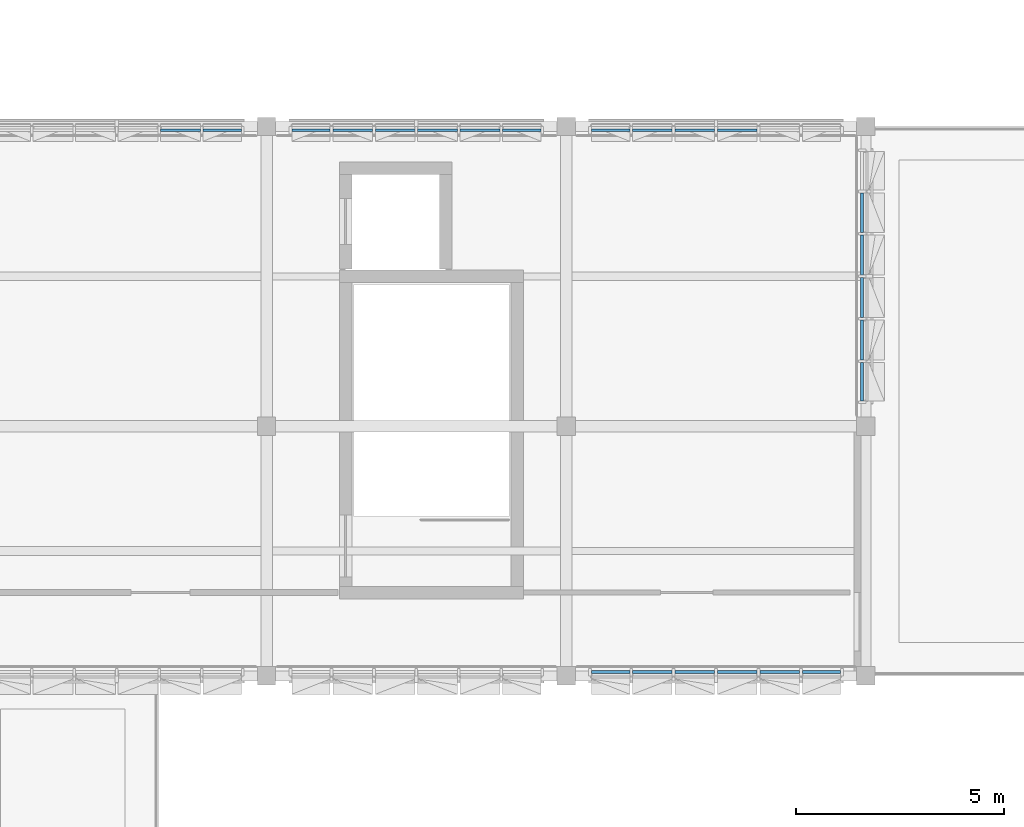
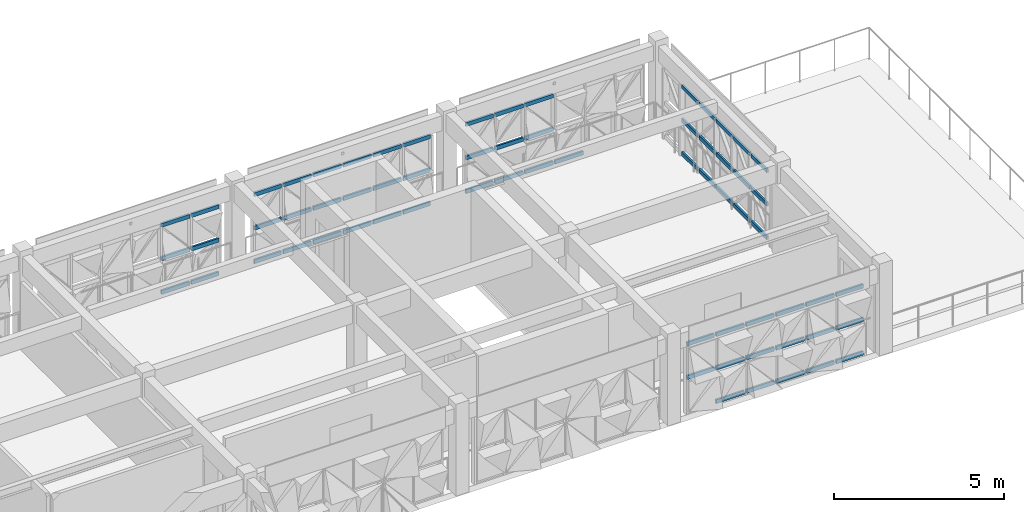
# One storey, part 11 of 35: 66 members, 5 elements without a shape of their own.
"""IFC4 building model written with IfcOpenShell, lengths in metres."""

import ifcopenshell
import ifcopenshell.guid

model = None  # the IFC model being written
_history = None  # IfcOwnerHistory: only IFC2X3 demands one
_inside = {}  # id of a spatial element -> (the spatial element, [elements in it])
_under = {}  # id of a project, library or spatial element -> (it, [spatial elements below it])
_declared = {}  # id of a project -> (the project, [libraries it declares])
_typed = {}  # id of a type object -> (the type object, [elements of that type])
_made_of = {}  # id of a material, layer set ... -> (it, [elements and type objects made of it])


def new_model(schema):
    """Start an empty IFC model of exactly this schema.

    Asked for "IFC4X3", IfcOpenShell would pick the latest addendum, in which some entities
    have other attributes; the version numbers below select the first issue.
    IFC2X3 requires an IfcOwnerHistory on every rooted entity: one is made here for all.
    """
    global model, _history
    if schema == "IFC4X3":
        model = ifcopenshell.file(schema_version=(4, 3, 0, 0))
    else:
        model = ifcopenshell.file(schema=schema)
    _inside.clear()
    _under.clear()
    _declared.clear()
    _typed.clear()
    _made_of.clear()
    _history = None
    if model.schema == "IFC2X3":
        org = make("IfcOrganization", Name="unknown")
        user = make(
            "IfcPersonAndOrganization",
            ThePerson=make("IfcPerson", FamilyName="unknown"),
            TheOrganization=org,
        )
        app = make(
            "IfcApplication",
            ApplicationDeveloper=org,
            Version="unknown",
            ApplicationFullName="unknown",
            ApplicationIdentifier="unknown",
        )
        _history = make(
            "IfcOwnerHistory",
            OwningUser=user,
            OwningApplication=app,
            ChangeAction="ADDED",
            CreationDate=0,
        )
    return model


def make(cls, **values):
    """One entity of the class cls with the attributes given. An attribute that is None is left unset."""
    return model.create_entity(
        cls, **{name: value for name, value in values.items() if value is not None}
    )


def rooted(cls, **values):
    """An entity with a GlobalId (a new one), such as an element, a storey or a relation."""
    return make(cls, GlobalId=ifcopenshell.guid.new(), OwnerHistory=_history, **values)


def si_unit(unit_type, name, prefix=None):
    """IfcSIUnit, for example si_unit("LENGTHUNIT", "METRE", prefix="MILLI")."""
    return make("IfcSIUnit", UnitType=unit_type, Prefix=prefix, Name=name)


def assignment(units):
    """IfcUnitAssignment: the units of a project."""
    return None if units is None else make("IfcUnitAssignment", Units=units)


def point(xyz):
    """IfcCartesianPoint."""
    return None if xyz is None else make("IfcCartesianPoint", Coordinates=xyz)


def direction(xyz):
    """IfcDirection."""
    return None if xyz is None else make("IfcDirection", DirectionRatios=xyz)


def frame(location, z_axis=None, x_axis=None):
    """IfcAxis2Placement3D, a coordinate frame: its origin and axes. An axis left out is left unset."""
    return make(
        "IfcAxis2Placement3D",
        Location=point(location),
        Axis=direction(z_axis),
        RefDirection=direction(x_axis),
    )


def frame_2d(location, x_axis=None):
    """IfcAxis2Placement2D, a coordinate frame in the plane: its origin and x axis."""
    return make(
        "IfcAxis2Placement2D", Location=point(location), RefDirection=direction(x_axis)
    )


def origin():
    """The frame at (0, 0, 0) with its axes left unset."""
    return frame((0.0, 0.0, 0.0))


def origin_2d():
    """The frame at (0, 0) in the plane with its x axis left unset."""
    return frame_2d((0.0, 0.0))


def place(relative_to, where):
    """IfcLocalPlacement: puts the frame where relative to a parent placement (None: the world)."""
    return make(
        "IfcLocalPlacement", PlacementRelTo=relative_to, RelativePlacement=where
    )


def context(
    kind, dimensions, precision=None, world=None, true_north=None, identifier=None
):
    """IfcGeometricRepresentationContext, for example the 3D "Model" context."""
    return make(
        "IfcGeometricRepresentationContext",
        ContextIdentifier=identifier,
        ContextType=kind,
        CoordinateSpaceDimension=dimensions,
        Precision=precision,
        WorldCoordinateSystem=world,
        TrueNorth=true_north,
    )


def subcontext(parent, identifier, kind, view, scale=None):
    """IfcGeometricRepresentationSubContext, for example "Body" below "Model"."""
    return make(
        "IfcGeometricRepresentationSubContext",
        ContextIdentifier=identifier,
        ContextType=kind,
        ParentContext=parent,
        TargetScale=scale,
        TargetView=view,
    )


def project(units=None, contexts=None):
    """IfcProject with its units and contexts."""
    return rooted(
        "IfcProject",
        Name="project",
        RepresentationContexts=contexts,
        UnitsInContext=assignment(units),
    )


def spatial(cls, under=None, at=None, **own):
    """A site, building, storey or space (cls), placed at a placement, below another one or the project."""
    s = rooted(cls, ObjectPlacement=at, **own)
    if under is not None:
        _under.setdefault(under.id(), (under, []))[1].append(s)
    return s


def profile(cls, at=None, kind="AREA", **sizes):
    """A parametric profile (cls). Its sizes go by their IFC names, for example OverallWidth=200.0."""
    return make(cls, ProfileType=kind, Position=at, **sizes)


def rectangle(**sizes):
    """IfcRectangleProfileDef."""
    return profile("IfcRectangleProfileDef", **sizes)


def extrude(swept, where, along, depth):
    """IfcExtrudedAreaSolid: the profile swept, set in the frame where, extruded along a direction by depth."""
    return make(
        "IfcExtrudedAreaSolid",
        SweptArea=swept,
        Position=where,
        ExtrudedDirection=direction(along),
        Depth=depth,
    )


def shape(context_of_items, identifier, shape_type, items):
    """IfcShapeRepresentation: the items that make up one representation, for example the "Body"."""
    return make(
        "IfcShapeRepresentation",
        ContextOfItems=context_of_items,
        RepresentationIdentifier=identifier,
        RepresentationType=shape_type,
        Items=items,
    )


def material(Name=None, Category=None):
    """IfcMaterial."""
    return make("IfcMaterial", Name=Name, Category=Category)


def material_profile(
    of_material, cross_section, Name=None, Category=None, Priority=None
):
    """IfcMaterialProfile: a cross section and its material."""
    return make(
        "IfcMaterialProfile",
        Name=Name,
        Material=of_material,
        Profile=cross_section,
        Priority=Priority,
        Category=Category,
    )


def profile_set(profiles, Name=None, composite=None):
    """IfcMaterialProfileSet."""
    return make(
        "IfcMaterialProfileSet",
        Name=Name,
        MaterialProfiles=profiles,
        CompositeProfile=composite,
    )


def made_of(thing, what):
    """Note that an element or type object is made of a material, layer set ...; save() writes the relation."""
    if what is not None:
        _made_of.setdefault(what.id(), (what, []))[1].append(thing)
    return thing


def type_object(cls, material=None, **own):
    """A type object (cls), such as IfcWallType, which elements share."""
    return made_of(rooted(cls, **own), material)


def element(
    cls,
    number,
    at=None,
    inside=None,
    cuts=None,
    type_object=None,
    material=None,
    context=None,
    identifier="Body",
    shape_type=None,
    held_by="IfcProductDefinitionShape",
    body=None,
    shapes=None,
    **own,
):
    """One element of the class cls, such as IfcWall. Its Tag is "e" and its number.

    at: its placement. inside: the storey or other place that contains it. cuts: it is an
    opening in that element (IfcRelVoidsElement). A single representation is given by context,
    identifier, shape_type and body (its items); several are given by shapes. held_by: the class
    of the entity that holds the representations. save() writes the other relations.
    """
    e = rooted(cls, Tag="e%d" % number, ObjectPlacement=at, **own)
    if body is not None:
        shapes = [shape(context, identifier, shape_type, body)]
    if shapes is not None:
        e.Representation = make(held_by, Representations=shapes)
    if inside is not None:
        _inside.setdefault(inside.id(), (inside, []))[1].append(e)
    if cuts is not None:
        rooted(
            "IfcRelVoidsElement", RelatingBuildingElement=cuts, RelatedOpeningElement=e
        )
    if type_object is not None:
        _typed.setdefault(type_object.id(), (type_object, []))[1].append(e)
    return made_of(e, material)


def aggregate(whole, parts):
    """IfcRelAggregates: a whole, such as a stair, and the parts it consists of."""
    return rooted("IfcRelAggregates", RelatingObject=whole, RelatedObjects=parts)


def save(model, path):
    """Write the relations noted so far, then the file.

    IfcRelAggregates (storeys below a building ...), IfcRelContainedInSpatialStructure (elements
    in a storey), IfcRelDefinesByType, IfcRelAssociatesMaterial and IfcRelDeclares: one each for
    every whole, place, type object, material and project.
    """
    for whole, parts in _under.values():
        aggregate(whole, parts)
    for where, things in _inside.values():
        rooted(
            "IfcRelContainedInSpatialStructure",
            RelatedElements=things,
            RelatingStructure=where,
        )
    for kind, things in _typed.values():
        rooted("IfcRelDefinesByType", RelatedObjects=things, RelatingType=kind)
    for what, things in _made_of.values():
        rooted("IfcRelAssociatesMaterial", RelatedObjects=things, RelatingMaterial=what)
    for by, libraries in _declared.values():
        rooted("IfcRelDeclares", RelatingContext=by, RelatedDefinitions=libraries)
    model.write(path)


model = new_model("IFC4")

# Units and contexts
model_context = context("Model", 3, precision=1e-05, world=origin(), true_north=direction((0.0, 1.0)))
body_context = subcontext(model_context, "Body", "Model", "MODEL_VIEW")
ifc_project = project(units=[si_unit("LENGTHUNIT", "METRE"), si_unit("AREAUNIT", "SQUARE_METRE"), si_unit("VOLUMEUNIT", "CUBIC_METRE"), si_unit("PLANEANGLEUNIT", "RADIAN"), si_unit("MASSUNIT", "GRAM", prefix="KILO")], contexts=[model_context])

# Site, building, storey
site_placement = place(None, origin())
site = spatial("IfcSite", under=ifc_project, at=site_placement, CompositionType="ELEMENT")
building_placement = place(site_placement, origin())
building = spatial("IfcBuilding", under=site, at=building_placement, Name="Alvorim Cloister Faculty of Sciences", CompositionType="ELEMENT")
storey_placement = place(building_placement, frame((0.0, 0.0, 22.949951171875)))
storey = spatial("IfcBuildingStorey", under=building, at=storey_placement, Name="L06", CompositionType="ELEMENT", Elevation=22.949951171875)

# Curtain wall, members
ifc_material_1 = material(Name="Aluminium and Low-E Glass Curtain Wall", Category="aluminium")
curtain_wall_type = type_object("IfcCurtainWallType", Name="CW-TRI-6120x2550", PredefinedType="USERDEFINED", material=ifc_material_1)
curtain_wall_1_placement = place(storey_placement, origin())
curtain_wall_1 = element("IfcCurtainWall", 1, at=curtain_wall_1_placement, inside=storey, type_object=curtain_wall_type, Name="L06 Diagonal Cassette Curtain Wall CW-0248", ObjectType="UNITISED CURTAIN WALL", PredefinedType="USERDEFINED")
ifc_material_2 = material(Name="Aluminium Alloy 6063-T6", Category="aluminium")
ifc_material_profile = material_profile(ifc_material_2, rectangle(XDim=0.06494140625, YDim=0.139892578125, at=origin_2d()), Name="ALU-TRN-65x140")
ifc_profile_set = profile_set([ifc_material_profile], Name="Aluminium Alloy 6063-T6")
member_type = type_object("IfcMemberType", Name="CW-TRN-65x140", PredefinedType="USERDEFINED", material=ifc_profile_set)
member_1_placement = place(storey_placement, frame((33.452392578125, 56.31005859375, 0.070068359375), z_axis=(1.0, 0.0, 0.0), x_axis=(0.0, 1.0, 0.0)))
member_1 = element("IfcMember", 2, at=member_1_placement, type_object=member_type, Name="CW-0248 Transom 5.1", ObjectType="TRANSOM", PredefinedType="USERDEFINED", context=body_context, shape_type="SweptSolid", body=[
    extrude(rectangle(XDim=0.06494140625, YDim=0.139892578125, at=origin_2d()), origin(), (0.0, 0.0, 1.0), 0.955078125),
])
member_2_placement = place(storey_placement, frame((33.452392578125, 56.31005859375, 1.275146484375), z_axis=(1.0, 0.0, 0.0), x_axis=(0.0, 1.0, 0.0)))
member_2 = element("IfcMember", 3, at=member_2_placement, type_object=member_type, Name="CW-0248 Transom 5.2", ObjectType="TRANSOM", PredefinedType="USERDEFINED", context=body_context, shape_type="SweptSolid", body=[
    extrude(rectangle(XDim=0.06494140625, YDim=0.139892578125, at=origin_2d()), origin(), (0.0, 0.0, 1.0), 0.955078125),
])
member_3_placement = place(storey_placement, frame((33.452392578125, 56.31005859375, 2.47998046875), z_axis=(1.0, 0.0, 0.0), x_axis=(0.0, 1.0, 0.0)))
member_3 = element("IfcMember", 4, at=member_3_placement, type_object=member_type, Name="CW-0248 Transom 5.3", ObjectType="TRANSOM", PredefinedType="USERDEFINED", context=body_context, shape_type="SweptSolid", body=[
    extrude(rectangle(XDim=0.06494140625, YDim=0.139892578125, at=origin_2d()), origin(), (0.0, 0.0, 1.0), 0.955078125),
])
member_4_placement = place(storey_placement, frame((34.472412109375, 56.31005859375, 0.070068359375), z_axis=(1.0, 0.0, 0.0), x_axis=(0.0, 1.0, 0.0)))
member_4 = element("IfcMember", 5, at=member_4_placement, type_object=member_type, Name="CW-0248 Transom 6.1", ObjectType="TRANSOM", PredefinedType="USERDEFINED", context=body_context, shape_type="SweptSolid", body=[
    extrude(rectangle(XDim=0.06494140625, YDim=0.139892578125, at=origin_2d()), origin(), (0.0, 0.0, 1.0), 0.922607421875),
])
member_5_placement = place(storey_placement, frame((34.472412109375, 56.31005859375, 1.275146484375), z_axis=(1.0, 0.0, 0.0), x_axis=(0.0, 1.0, 0.0)))
member_5 = element("IfcMember", 6, at=member_5_placement, type_object=member_type, Name="CW-0248 Transom 6.2", ObjectType="TRANSOM", PredefinedType="USERDEFINED", context=body_context, shape_type="SweptSolid", body=[
    extrude(rectangle(XDim=0.06494140625, YDim=0.139892578125, at=origin_2d()), origin(), (0.0, 0.0, 1.0), 0.922607421875),
])
member_6_placement = place(storey_placement, frame((34.472412109375, 56.31005859375, 2.47998046875), z_axis=(1.0, 0.0, 0.0), x_axis=(0.0, 1.0, 0.0)))
member_6 = element("IfcMember", 7, at=member_6_placement, type_object=member_type, Name="CW-0248 Transom 6.3", ObjectType="TRANSOM", PredefinedType="USERDEFINED", context=body_context, shape_type="SweptSolid", body=[
    extrude(rectangle(XDim=0.06494140625, YDim=0.139892578125, at=origin_2d()), origin(), (0.0, 0.0, 1.0), 0.922607421875),
])
aggregate(curtain_wall_1, [member_1, member_2, member_3, member_4, member_5, member_6])

curtain_wall_2_placement = place(storey_placement, origin())
curtain_wall_2 = element("IfcCurtainWall", 8, at=curtain_wall_2_placement, inside=storey, type_object=curtain_wall_type, Name="L06 Diagonal Cassette Curtain Wall CW-0249", ObjectType="UNITISED CURTAIN WALL", PredefinedType="USERDEFINED")
member_7_placement = place(storey_placement, frame((36.60498046875, 56.31005859375, 0.070068359375), z_axis=(1.0, 0.0, 0.0), x_axis=(0.0, 1.0, 0.0)))
member_7 = element("IfcMember", 9, at=member_7_placement, type_object=member_type, Name="CW-0249 Transom 1.1", ObjectType="TRANSOM", PredefinedType="USERDEFINED", context=body_context, shape_type="SweptSolid", body=[
    extrude(rectangle(XDim=0.06494140625, YDim=0.139892578125, at=origin_2d()), origin(), (0.0, 0.0, 1.0), 0.922607421875),
])
member_8_placement = place(storey_placement, frame((36.60498046875, 56.31005859375, 1.275146484375), z_axis=(1.0, 0.0, 0.0), x_axis=(0.0, 1.0, 0.0)))
member_8 = element("IfcMember", 10, at=member_8_placement, type_object=member_type, Name="CW-0249 Transom 1.2", ObjectType="TRANSOM", PredefinedType="USERDEFINED", context=body_context, shape_type="SweptSolid", body=[
    extrude(rectangle(XDim=0.06494140625, YDim=0.139892578125, at=origin_2d()), origin(), (0.0, 0.0, 1.0), 0.922607421875),
])
member_9_placement = place(storey_placement, frame((36.60498046875, 56.31005859375, 2.47998046875), z_axis=(1.0, 0.0, 0.0), x_axis=(0.0, 1.0, 0.0)))
member_9 = element("IfcMember", 11, at=member_9_placement, type_object=member_type, Name="CW-0249 Transom 1.3", ObjectType="TRANSOM", PredefinedType="USERDEFINED", context=body_context, shape_type="SweptSolid", body=[
    extrude(rectangle(XDim=0.06494140625, YDim=0.139892578125, at=origin_2d()), origin(), (0.0, 0.0, 1.0), 0.922607421875),
])
member_10_placement = place(storey_placement, frame((37.592529296875, 56.31005859375, 0.070068359375), z_axis=(1.0, 0.0, 0.0), x_axis=(0.0, 1.0, 0.0)))
member_10 = element("IfcMember", 12, at=member_10_placement, type_object=member_type, Name="CW-0249 Transom 2.1", ObjectType="TRANSOM", PredefinedType="USERDEFINED", context=body_context, shape_type="SweptSolid", body=[
    extrude(rectangle(XDim=0.06494140625, YDim=0.139892578125, at=origin_2d()), origin(), (0.0, 0.0, 1.0), 0.955078125),
])
member_11_placement = place(storey_placement, frame((37.592529296875, 56.31005859375, 1.275146484375), z_axis=(1.0, 0.0, 0.0), x_axis=(0.0, 1.0, 0.0)))
member_11 = element("IfcMember", 13, at=member_11_placement, type_object=member_type, Name="CW-0249 Transom 2.2", ObjectType="TRANSOM", PredefinedType="USERDEFINED", context=body_context, shape_type="SweptSolid", body=[
    extrude(rectangle(XDim=0.06494140625, YDim=0.139892578125, at=origin_2d()), origin(), (0.0, 0.0, 1.0), 0.955078125),
])
member_12_placement = place(storey_placement, frame((37.592529296875, 56.31005859375, 2.47998046875), z_axis=(1.0, 0.0, 0.0), x_axis=(0.0, 1.0, 0.0)))
member_12 = element("IfcMember", 14, at=member_12_placement, type_object=member_type, Name="CW-0249 Transom 2.3", ObjectType="TRANSOM", PredefinedType="USERDEFINED", context=body_context, shape_type="SweptSolid", body=[
    extrude(rectangle(XDim=0.06494140625, YDim=0.139892578125, at=origin_2d()), origin(), (0.0, 0.0, 1.0), 0.955078125),
])
member_13_placement = place(storey_placement, frame((38.612548828125, 56.31005859375, 0.070068359375), z_axis=(1.0, 0.0, 0.0), x_axis=(0.0, 1.0, 0.0)))
member_13 = element("IfcMember", 15, at=member_13_placement, type_object=member_type, Name="CW-0249 Transom 3.1", ObjectType="TRANSOM", PredefinedType="USERDEFINED", context=body_context, shape_type="SweptSolid", body=[
    extrude(rectangle(XDim=0.06494140625, YDim=0.139892578125, at=origin_2d()), origin(), (0.0, 0.0, 1.0), 0.954833984375),
])
member_14_placement = place(storey_placement, frame((38.612548828125, 56.31005859375, 1.275146484375), z_axis=(1.0, 0.0, 0.0), x_axis=(0.0, 1.0, 0.0)))
member_14 = element("IfcMember", 16, at=member_14_placement, type_object=member_type, Name="CW-0249 Transom 3.2", ObjectType="TRANSOM", PredefinedType="USERDEFINED", context=body_context, shape_type="SweptSolid", body=[
    extrude(rectangle(XDim=0.06494140625, YDim=0.139892578125, at=origin_2d()), origin(), (0.0, 0.0, 1.0), 0.954833984375),
])
member_15_placement = place(storey_placement, frame((38.612548828125, 56.31005859375, 2.47998046875), z_axis=(1.0, 0.0, 0.0), x_axis=(0.0, 1.0, 0.0)))
member_15 = element("IfcMember", 17, at=member_15_placement, type_object=member_type, Name="CW-0249 Transom 3.3", ObjectType="TRANSOM", PredefinedType="USERDEFINED", context=body_context, shape_type="SweptSolid", body=[
    extrude(rectangle(XDim=0.06494140625, YDim=0.139892578125, at=origin_2d()), origin(), (0.0, 0.0, 1.0), 0.954833984375),
])
member_16_placement = place(storey_placement, frame((39.632568359375, 56.31005859375, 0.070068359375), z_axis=(1.0, 0.0, 0.0), x_axis=(0.0, 1.0, 0.0)))
member_16 = element("IfcMember", 18, at=member_16_placement, type_object=member_type, Name="CW-0249 Transom 4.1", ObjectType="TRANSOM", PredefinedType="USERDEFINED", context=body_context, shape_type="SweptSolid", body=[
    extrude(rectangle(XDim=0.06494140625, YDim=0.139892578125, at=origin_2d()), origin(), (0.0, 0.0, 1.0), 0.954833984375),
])
member_17_placement = place(storey_placement, frame((39.632568359375, 56.31005859375, 1.275146484375), z_axis=(1.0, 0.0, 0.0), x_axis=(0.0, 1.0, 0.0)))
member_17 = element("IfcMember", 19, at=member_17_placement, type_object=member_type, Name="CW-0249 Transom 4.2", ObjectType="TRANSOM", PredefinedType="USERDEFINED", context=body_context, shape_type="SweptSolid", body=[
    extrude(rectangle(XDim=0.06494140625, YDim=0.139892578125, at=origin_2d()), origin(), (0.0, 0.0, 1.0), 0.954833984375),
])
member_18_placement = place(storey_placement, frame((39.632568359375, 56.31005859375, 2.47998046875), z_axis=(1.0, 0.0, 0.0), x_axis=(0.0, 1.0, 0.0)))
member_18 = element("IfcMember", 20, at=member_18_placement, type_object=member_type, Name="CW-0249 Transom 4.3", ObjectType="TRANSOM", PredefinedType="USERDEFINED", context=body_context, shape_type="SweptSolid", body=[
    extrude(rectangle(XDim=0.06494140625, YDim=0.139892578125, at=origin_2d()), origin(), (0.0, 0.0, 1.0), 0.954833984375),
])
member_19_placement = place(storey_placement, frame((40.652587890625, 56.31005859375, 0.070068359375), z_axis=(1.0, 0.0, 0.0), x_axis=(0.0, 1.0, 0.0)))
member_19 = element("IfcMember", 21, at=member_19_placement, type_object=member_type, Name="CW-0249 Transom 5.1", ObjectType="TRANSOM", PredefinedType="USERDEFINED", context=body_context, shape_type="SweptSolid", body=[
    extrude(rectangle(XDim=0.06494140625, YDim=0.139892578125, at=origin_2d()), origin(), (0.0, 0.0, 1.0), 0.954833984375),
])
member_20_placement = place(storey_placement, frame((40.652587890625, 56.31005859375, 1.275146484375), z_axis=(1.0, 0.0, 0.0), x_axis=(0.0, 1.0, 0.0)))
member_20 = element("IfcMember", 22, at=member_20_placement, type_object=member_type, Name="CW-0249 Transom 5.2", ObjectType="TRANSOM", PredefinedType="USERDEFINED", context=body_context, shape_type="SweptSolid", body=[
    extrude(rectangle(XDim=0.06494140625, YDim=0.139892578125, at=origin_2d()), origin(), (0.0, 0.0, 1.0), 0.954833984375),
])
member_21_placement = place(storey_placement, frame((40.652587890625, 56.31005859375, 2.47998046875), z_axis=(1.0, 0.0, 0.0), x_axis=(0.0, 1.0, 0.0)))
member_21 = element("IfcMember", 23, at=member_21_placement, type_object=member_type, Name="CW-0249 Transom 5.3", ObjectType="TRANSOM", PredefinedType="USERDEFINED", context=body_context, shape_type="SweptSolid", body=[
    extrude(rectangle(XDim=0.06494140625, YDim=0.139892578125, at=origin_2d()), origin(), (0.0, 0.0, 1.0), 0.954833984375),
])
member_22_placement = place(storey_placement, frame((41.672607421875, 56.31005859375, 0.070068359375), z_axis=(1.0, 0.0, 0.0), x_axis=(0.0, 1.0, 0.0)))
member_22 = element("IfcMember", 24, at=member_22_placement, type_object=member_type, Name="CW-0249 Transom 6.1", ObjectType="TRANSOM", PredefinedType="USERDEFINED", context=body_context, shape_type="SweptSolid", body=[
    extrude(rectangle(XDim=0.06494140625, YDim=0.139892578125, at=origin_2d()), origin(), (0.0, 0.0, 1.0), 0.92236328125),
])
member_23_placement = place(storey_placement, frame((41.672607421875, 56.31005859375, 1.275146484375), z_axis=(1.0, 0.0, 0.0), x_axis=(0.0, 1.0, 0.0)))
member_23 = element("IfcMember", 25, at=member_23_placement, type_object=member_type, Name="CW-0249 Transom 6.2", ObjectType="TRANSOM", PredefinedType="USERDEFINED", context=body_context, shape_type="SweptSolid", body=[
    extrude(rectangle(XDim=0.06494140625, YDim=0.139892578125, at=origin_2d()), origin(), (0.0, 0.0, 1.0), 0.92236328125),
])
member_24_placement = place(storey_placement, frame((41.672607421875, 56.31005859375, 2.47998046875), z_axis=(1.0, 0.0, 0.0), x_axis=(0.0, 1.0, 0.0)))
member_24 = element("IfcMember", 26, at=member_24_placement, type_object=member_type, Name="CW-0249 Transom 6.3", ObjectType="TRANSOM", PredefinedType="USERDEFINED", context=body_context, shape_type="SweptSolid", body=[
    extrude(rectangle(XDim=0.06494140625, YDim=0.139892578125, at=origin_2d()), origin(), (0.0, 0.0, 1.0), 0.92236328125),
])
aggregate(curtain_wall_2, [member_7, member_8, member_9, member_10, member_11, member_12, member_13, member_14, member_15, member_16, member_17, member_18, member_19, member_20, member_21, member_22, member_23, member_24])

curtain_wall_3_placement = place(storey_placement, origin())
curtain_wall_3 = element("IfcCurtainWall", 27, at=curtain_wall_3_placement, inside=storey, type_object=curtain_wall_type, Name="L06 Diagonal Cassette Curtain Wall CW-0250", ObjectType="UNITISED CURTAIN WALL", PredefinedType="USERDEFINED")
member_25_placement = place(storey_placement, frame((43.804931640625, 56.31005859375, 0.070068359375), z_axis=(1.0, 0.0, 0.0), x_axis=(0.0, 1.0, 0.0)))
member_25 = element("IfcMember", 28, at=member_25_placement, type_object=member_type, Name="CW-0250 Transom 1.1", ObjectType="TRANSOM", PredefinedType="USERDEFINED", context=body_context, shape_type="SweptSolid", body=[
    extrude(rectangle(XDim=0.06494140625, YDim=0.139892578125, at=origin_2d()), origin(), (0.0, 0.0, 1.0), 0.922607421875),
])
member_26_placement = place(storey_placement, frame((43.804931640625, 56.31005859375, 1.275146484375), z_axis=(1.0, 0.0, 0.0), x_axis=(0.0, 1.0, 0.0)))
member_26 = element("IfcMember", 29, at=member_26_placement, type_object=member_type, Name="CW-0250 Transom 1.2", ObjectType="TRANSOM", PredefinedType="USERDEFINED", context=body_context, shape_type="SweptSolid", body=[
    extrude(rectangle(XDim=0.06494140625, YDim=0.139892578125, at=origin_2d()), origin(), (0.0, 0.0, 1.0), 0.922607421875),
])
member_27_placement = place(storey_placement, frame((43.804931640625, 56.31005859375, 2.47998046875), z_axis=(1.0, 0.0, 0.0), x_axis=(0.0, 1.0, 0.0)))
member_27 = element("IfcMember", 30, at=member_27_placement, type_object=member_type, Name="CW-0250 Transom 1.3", ObjectType="TRANSOM", PredefinedType="USERDEFINED", context=body_context, shape_type="SweptSolid", body=[
    extrude(rectangle(XDim=0.06494140625, YDim=0.139892578125, at=origin_2d()), origin(), (0.0, 0.0, 1.0), 0.922607421875),
])
member_28_placement = place(storey_placement, frame((44.79248046875, 56.31005859375, 0.070068359375), z_axis=(1.0, 0.0, 0.0), x_axis=(0.0, 1.0, 0.0)))
member_28 = element("IfcMember", 31, at=member_28_placement, type_object=member_type, Name="CW-0250 Transom 2.1", ObjectType="TRANSOM", PredefinedType="USERDEFINED", context=body_context, shape_type="SweptSolid", body=[
    extrude(rectangle(XDim=0.06494140625, YDim=0.139892578125, at=origin_2d()), origin(), (0.0, 0.0, 1.0), 0.955078125),
])
member_29_placement = place(storey_placement, frame((44.79248046875, 56.31005859375, 1.275146484375), z_axis=(1.0, 0.0, 0.0), x_axis=(0.0, 1.0, 0.0)))
member_29 = element("IfcMember", 32, at=member_29_placement, type_object=member_type, Name="CW-0250 Transom 2.2", ObjectType="TRANSOM", PredefinedType="USERDEFINED", context=body_context, shape_type="SweptSolid", body=[
    extrude(rectangle(XDim=0.06494140625, YDim=0.139892578125, at=origin_2d()), origin(), (0.0, 0.0, 1.0), 0.955078125),
])
member_30_placement = place(storey_placement, frame((44.79248046875, 56.31005859375, 2.47998046875), z_axis=(1.0, 0.0, 0.0), x_axis=(0.0, 1.0, 0.0)))
member_30 = element("IfcMember", 33, at=member_30_placement, type_object=member_type, Name="CW-0250 Transom 2.3", ObjectType="TRANSOM", PredefinedType="USERDEFINED", context=body_context, shape_type="SweptSolid", body=[
    extrude(rectangle(XDim=0.06494140625, YDim=0.139892578125, at=origin_2d()), origin(), (0.0, 0.0, 1.0), 0.955078125),
])
member_31_placement = place(storey_placement, frame((45.8125, 56.31005859375, 0.070068359375), z_axis=(1.0, 0.0, 0.0), x_axis=(0.0, 1.0, 0.0)))
member_31 = element("IfcMember", 34, at=member_31_placement, type_object=member_type, Name="CW-0250 Transom 3.1", ObjectType="TRANSOM", PredefinedType="USERDEFINED", context=body_context, shape_type="SweptSolid", body=[
    extrude(rectangle(XDim=0.06494140625, YDim=0.139892578125, at=origin_2d()), origin(), (0.0, 0.0, 1.0), 0.955078125),
])
member_32_placement = place(storey_placement, frame((45.8125, 56.31005859375, 1.275146484375), z_axis=(1.0, 0.0, 0.0), x_axis=(0.0, 1.0, 0.0)))
member_32 = element("IfcMember", 35, at=member_32_placement, type_object=member_type, Name="CW-0250 Transom 3.2", ObjectType="TRANSOM", PredefinedType="USERDEFINED", context=body_context, shape_type="SweptSolid", body=[
    extrude(rectangle(XDim=0.06494140625, YDim=0.139892578125, at=origin_2d()), origin(), (0.0, 0.0, 1.0), 0.955078125),
])
member_33_placement = place(storey_placement, frame((45.8125, 56.31005859375, 2.47998046875), z_axis=(1.0, 0.0, 0.0), x_axis=(0.0, 1.0, 0.0)))
member_33 = element("IfcMember", 36, at=member_33_placement, type_object=member_type, Name="CW-0250 Transom 3.3", ObjectType="TRANSOM", PredefinedType="USERDEFINED", context=body_context, shape_type="SweptSolid", body=[
    extrude(rectangle(XDim=0.06494140625, YDim=0.139892578125, at=origin_2d()), origin(), (0.0, 0.0, 1.0), 0.955078125),
])
member_34_placement = place(storey_placement, frame((46.83251953125, 56.31005859375, 0.070068359375), z_axis=(1.0, 0.0, 0.0), x_axis=(0.0, 1.0, 0.0)))
member_34 = element("IfcMember", 37, at=member_34_placement, type_object=member_type, Name="CW-0250 Transom 4.1", ObjectType="TRANSOM", PredefinedType="USERDEFINED", context=body_context, shape_type="SweptSolid", body=[
    extrude(rectangle(XDim=0.06494140625, YDim=0.139892578125, at=origin_2d()), origin(), (0.0, 0.0, 1.0), 0.955078125),
])
aggregate(curtain_wall_3, [member_25, member_26, member_27, member_28, member_29, member_30, member_31, member_32, member_33, member_34])

curtain_wall_4_placement = place(storey_placement, origin())
curtain_wall_4 = element("IfcCurtainWall", 38, at=curtain_wall_4_placement, inside=storey, type_object=curtain_wall_type, Name="L06 Diagonal Cassette Curtain Wall CW-0251", ObjectType="UNITISED CURTAIN WALL", PredefinedType="USERDEFINED")
member_35_placement = place(storey_placement, frame((50.31005859375, 49.804931640625, 0.070068359375), z_axis=(0.0, 1.0, 0.0), x_axis=(-1.0, 0.0, 0.0)))
member_35 = element("IfcMember", 39, at=member_35_placement, type_object=member_type, Name="CW-0251 Transom 1.1", ObjectType="TRANSOM", PredefinedType="USERDEFINED", context=body_context, shape_type="SweptSolid", body=[
    extrude(rectangle(XDim=0.06494140625, YDim=0.139892578125, at=origin_2d()), origin(), (0.0, 0.0, 1.0), 0.922607421875),
])
member_36_placement = place(storey_placement, frame((50.31005859375, 49.804931640625, 1.275146484375), z_axis=(0.0, 1.0, 0.0), x_axis=(-1.0, 0.0, 0.0)))
member_36 = element("IfcMember", 40, at=member_36_placement, type_object=member_type, Name="CW-0251 Transom 1.2", ObjectType="TRANSOM", PredefinedType="USERDEFINED", context=body_context, shape_type="SweptSolid", body=[
    extrude(rectangle(XDim=0.06494140625, YDim=0.139892578125, at=origin_2d()), origin(), (0.0, 0.0, 1.0), 0.922607421875),
])
member_37_placement = place(storey_placement, frame((50.31005859375, 49.804931640625, 2.47998046875), z_axis=(0.0, 1.0, 0.0), x_axis=(-1.0, 0.0, 0.0)))
member_37 = element("IfcMember", 41, at=member_37_placement, type_object=member_type, Name="CW-0251 Transom 1.3", ObjectType="TRANSOM", PredefinedType="USERDEFINED", context=body_context, shape_type="SweptSolid", body=[
    extrude(rectangle(XDim=0.06494140625, YDim=0.139892578125, at=origin_2d()), origin(), (0.0, 0.0, 1.0), 0.922607421875),
])
member_38_placement = place(storey_placement, frame((50.31005859375, 50.79248046875, 0.070068359375), z_axis=(0.0, 1.0, 0.0), x_axis=(-1.0, 0.0, 0.0)))
member_38 = element("IfcMember", 42, at=member_38_placement, type_object=member_type, Name="CW-0251 Transom 2.1", ObjectType="TRANSOM", PredefinedType="USERDEFINED", context=body_context, shape_type="SweptSolid", body=[
    extrude(rectangle(XDim=0.06494140625, YDim=0.139892578125, at=origin_2d()), origin(), (0.0, 0.0, 1.0), 0.955078125),
])
member_39_placement = place(storey_placement, frame((50.31005859375, 50.79248046875, 1.275146484375), z_axis=(0.0, 1.0, 0.0), x_axis=(-1.0, 0.0, 0.0)))
member_39 = element("IfcMember", 43, at=member_39_placement, type_object=member_type, Name="CW-0251 Transom 2.2", ObjectType="TRANSOM", PredefinedType="USERDEFINED", context=body_context, shape_type="SweptSolid", body=[
    extrude(rectangle(XDim=0.06494140625, YDim=0.139892578125, at=origin_2d()), origin(), (0.0, 0.0, 1.0), 0.955078125),
])
member_40_placement = place(storey_placement, frame((50.31005859375, 50.79248046875, 2.47998046875), z_axis=(0.0, 1.0, 0.0), x_axis=(-1.0, 0.0, 0.0)))
member_40 = element("IfcMember", 44, at=member_40_placement, type_object=member_type, Name="CW-0251 Transom 2.3", ObjectType="TRANSOM", PredefinedType="USERDEFINED", context=body_context, shape_type="SweptSolid", body=[
    extrude(rectangle(XDim=0.06494140625, YDim=0.139892578125, at=origin_2d()), origin(), (0.0, 0.0, 1.0), 0.955078125),
])
member_41_placement = place(storey_placement, frame((50.31005859375, 51.8125, 0.070068359375), z_axis=(0.0, 1.0, 0.0), x_axis=(-1.0, 0.0, 0.0)))
member_41 = element("IfcMember", 45, at=member_41_placement, type_object=member_type, Name="CW-0251 Transom 3.1", ObjectType="TRANSOM", PredefinedType="USERDEFINED", context=body_context, shape_type="SweptSolid", body=[
    extrude(rectangle(XDim=0.06494140625, YDim=0.139892578125, at=origin_2d()), origin(), (0.0, 0.0, 1.0), 0.955078125),
])
member_42_placement = place(storey_placement, frame((50.31005859375, 51.8125, 1.275146484375), z_axis=(0.0, 1.0, 0.0), x_axis=(-1.0, 0.0, 0.0)))
member_42 = element("IfcMember", 46, at=member_42_placement, type_object=member_type, Name="CW-0251 Transom 3.2", ObjectType="TRANSOM", PredefinedType="USERDEFINED", context=body_context, shape_type="SweptSolid", body=[
    extrude(rectangle(XDim=0.06494140625, YDim=0.139892578125, at=origin_2d()), origin(), (0.0, 0.0, 1.0), 0.955078125),
])
member_43_placement = place(storey_placement, frame((50.31005859375, 51.8125, 2.47998046875), z_axis=(0.0, 1.0, 0.0), x_axis=(-1.0, 0.0, 0.0)))
member_43 = element("IfcMember", 47, at=member_43_placement, type_object=member_type, Name="CW-0251 Transom 3.3", ObjectType="TRANSOM", PredefinedType="USERDEFINED", context=body_context, shape_type="SweptSolid", body=[
    extrude(rectangle(XDim=0.06494140625, YDim=0.139892578125, at=origin_2d()), origin(), (0.0, 0.0, 1.0), 0.955078125),
])
member_44_placement = place(storey_placement, frame((50.31005859375, 52.83251953125, 0.070068359375), z_axis=(0.0, 1.0, 0.0), x_axis=(-1.0, 0.0, 0.0)))
member_44 = element("IfcMember", 48, at=member_44_placement, type_object=member_type, Name="CW-0251 Transom 4.1", ObjectType="TRANSOM", PredefinedType="USERDEFINED", context=body_context, shape_type="SweptSolid", body=[
    extrude(rectangle(XDim=0.06494140625, YDim=0.139892578125, at=origin_2d()), origin(), (0.0, 0.0, 1.0), 0.955078125),
])
member_45_placement = place(storey_placement, frame((50.31005859375, 52.83251953125, 1.275146484375), z_axis=(0.0, 1.0, 0.0), x_axis=(-1.0, 0.0, 0.0)))
member_45 = element("IfcMember", 49, at=member_45_placement, type_object=member_type, Name="CW-0251 Transom 4.2", ObjectType="TRANSOM", PredefinedType="USERDEFINED", context=body_context, shape_type="SweptSolid", body=[
    extrude(rectangle(XDim=0.06494140625, YDim=0.139892578125, at=origin_2d()), origin(), (0.0, 0.0, 1.0), 0.955078125),
])
member_46_placement = place(storey_placement, frame((50.31005859375, 52.83251953125, 2.47998046875), z_axis=(0.0, 1.0, 0.0), x_axis=(-1.0, 0.0, 0.0)))
member_46 = element("IfcMember", 50, at=member_46_placement, type_object=member_type, Name="CW-0251 Transom 4.3", ObjectType="TRANSOM", PredefinedType="USERDEFINED", context=body_context, shape_type="SweptSolid", body=[
    extrude(rectangle(XDim=0.06494140625, YDim=0.139892578125, at=origin_2d()), origin(), (0.0, 0.0, 1.0), 0.955078125),
])
member_47_placement = place(storey_placement, frame((50.31005859375, 53.8525390625, 0.070068359375), z_axis=(0.0, 1.0, 0.0), x_axis=(-1.0, 0.0, 0.0)))
member_47 = element("IfcMember", 51, at=member_47_placement, type_object=member_type, Name="CW-0251 Transom 5.1", ObjectType="TRANSOM", PredefinedType="USERDEFINED", context=body_context, shape_type="SweptSolid", body=[
    extrude(rectangle(XDim=0.06494140625, YDim=0.139892578125, at=origin_2d()), origin(), (0.0, 0.0, 1.0), 0.955078125),
])
member_48_placement = place(storey_placement, frame((50.31005859375, 53.8525390625, 1.275146484375), z_axis=(0.0, 1.0, 0.0), x_axis=(-1.0, 0.0, 0.0)))
member_48 = element("IfcMember", 52, at=member_48_placement, type_object=member_type, Name="CW-0251 Transom 5.2", ObjectType="TRANSOM", PredefinedType="USERDEFINED", context=body_context, shape_type="SweptSolid", body=[
    extrude(rectangle(XDim=0.06494140625, YDim=0.139892578125, at=origin_2d()), origin(), (0.0, 0.0, 1.0), 0.955078125),
])
member_49_placement = place(storey_placement, frame((50.31005859375, 53.8525390625, 2.47998046875), z_axis=(0.0, 1.0, 0.0), x_axis=(-1.0, 0.0, 0.0)))
member_49 = element("IfcMember", 53, at=member_49_placement, type_object=member_type, Name="CW-0251 Transom 5.3", ObjectType="TRANSOM", PredefinedType="USERDEFINED", context=body_context, shape_type="SweptSolid", body=[
    extrude(rectangle(XDim=0.06494140625, YDim=0.139892578125, at=origin_2d()), origin(), (0.0, 0.0, 1.0), 0.955078125),
])
aggregate(curtain_wall_4, [member_35, member_36, member_37, member_38, member_39, member_40, member_41, member_42, member_43, member_44, member_45, member_46, member_47, member_48, member_49])

curtain_wall_5_placement = place(storey_placement, origin())
curtain_wall_5 = element("IfcCurtainWall", 54, at=curtain_wall_5_placement, inside=storey, type_object=curtain_wall_type, Name="L06 Diagonal Cassette Curtain Wall CW-0252", ObjectType="UNITISED CURTAIN WALL", PredefinedType="USERDEFINED")
member_50_placement = place(storey_placement, frame((43.804931640625, 43.2900390625, 1.275146484375), z_axis=(1.0, 0.0, 0.0), x_axis=(0.0, 1.0, 0.0)))
member_50 = element("IfcMember", 55, at=member_50_placement, type_object=member_type, Name="CW-0252 Transom 1.2", ObjectType="TRANSOM", PredefinedType="USERDEFINED", context=body_context, shape_type="SweptSolid", body=[
    extrude(rectangle(XDim=0.06494140625, YDim=0.139892578125, at=origin_2d()), origin(), (0.0, 0.0, 1.0), 0.922607421875),
])
member_51_placement = place(storey_placement, frame((43.804931640625, 43.2900390625, 2.47998046875), z_axis=(1.0, 0.0, 0.0), x_axis=(0.0, 1.0, 0.0)))
member_51 = element("IfcMember", 56, at=member_51_placement, type_object=member_type, Name="CW-0252 Transom 1.3", ObjectType="TRANSOM", PredefinedType="USERDEFINED", context=body_context, shape_type="SweptSolid", body=[
    extrude(rectangle(XDim=0.06494140625, YDim=0.139892578125, at=origin_2d()), origin(), (0.0, 0.0, 1.0), 0.922607421875),
])
member_52_placement = place(storey_placement, frame((44.79248046875, 43.2900390625, 0.070068359375), z_axis=(1.0, 0.0, 0.0), x_axis=(0.0, 1.0, 0.0)))
member_52 = element("IfcMember", 57, at=member_52_placement, type_object=member_type, Name="CW-0252 Transom 2.1", ObjectType="TRANSOM", PredefinedType="USERDEFINED", context=body_context, shape_type="SweptSolid", body=[
    extrude(rectangle(XDim=0.06494140625, YDim=0.139892578125, at=origin_2d()), origin(), (0.0, 0.0, 1.0), 0.955078125),
])
member_53_placement = place(storey_placement, frame((44.79248046875, 43.2900390625, 1.275146484375), z_axis=(1.0, 0.0, 0.0), x_axis=(0.0, 1.0, 0.0)))
member_53 = element("IfcMember", 58, at=member_53_placement, type_object=member_type, Name="CW-0252 Transom 2.2", ObjectType="TRANSOM", PredefinedType="USERDEFINED", context=body_context, shape_type="SweptSolid", body=[
    extrude(rectangle(XDim=0.06494140625, YDim=0.139892578125, at=origin_2d()), origin(), (0.0, 0.0, 1.0), 0.955078125),
])
member_54_placement = place(storey_placement, frame((44.79248046875, 43.2900390625, 2.47998046875), z_axis=(1.0, 0.0, 0.0), x_axis=(0.0, 1.0, 0.0)))
member_54 = element("IfcMember", 59, at=member_54_placement, type_object=member_type, Name="CW-0252 Transom 2.3", ObjectType="TRANSOM", PredefinedType="USERDEFINED", context=body_context, shape_type="SweptSolid", body=[
    extrude(rectangle(XDim=0.06494140625, YDim=0.139892578125, at=origin_2d()), origin(), (0.0, 0.0, 1.0), 0.955078125),
])
member_55_placement = place(storey_placement, frame((45.8125, 43.2900390625, 0.070068359375), z_axis=(1.0, 0.0, 0.0), x_axis=(0.0, 1.0, 0.0)))
member_55 = element("IfcMember", 60, at=member_55_placement, type_object=member_type, Name="CW-0252 Transom 3.1", ObjectType="TRANSOM", PredefinedType="USERDEFINED", context=body_context, shape_type="SweptSolid", body=[
    extrude(rectangle(XDim=0.06494140625, YDim=0.139892578125, at=origin_2d()), origin(), (0.0, 0.0, 1.0), 0.955078125),
])
member_56_placement = place(storey_placement, frame((45.8125, 43.2900390625, 1.275146484375), z_axis=(1.0, 0.0, 0.0), x_axis=(0.0, 1.0, 0.0)))
member_56 = element("IfcMember", 61, at=member_56_placement, type_object=member_type, Name="CW-0252 Transom 3.2", ObjectType="TRANSOM", PredefinedType="USERDEFINED", context=body_context, shape_type="SweptSolid", body=[
    extrude(rectangle(XDim=0.06494140625, YDim=0.139892578125, at=origin_2d()), origin(), (0.0, 0.0, 1.0), 0.955078125),
])
member_57_placement = place(storey_placement, frame((45.8125, 43.2900390625, 2.47998046875), z_axis=(1.0, 0.0, 0.0), x_axis=(0.0, 1.0, 0.0)))
member_57 = element("IfcMember", 62, at=member_57_placement, type_object=member_type, Name="CW-0252 Transom 3.3", ObjectType="TRANSOM", PredefinedType="USERDEFINED", context=body_context, shape_type="SweptSolid", body=[
    extrude(rectangle(XDim=0.06494140625, YDim=0.139892578125, at=origin_2d()), origin(), (0.0, 0.0, 1.0), 0.955078125),
])
member_58_placement = place(storey_placement, frame((46.83251953125, 43.2900390625, 0.070068359375), z_axis=(1.0, 0.0, 0.0), x_axis=(0.0, 1.0, 0.0)))
member_58 = element("IfcMember", 63, at=member_58_placement, type_object=member_type, Name="CW-0252 Transom 4.1", ObjectType="TRANSOM", PredefinedType="USERDEFINED", context=body_context, shape_type="SweptSolid", body=[
    extrude(rectangle(XDim=0.06494140625, YDim=0.139892578125, at=origin_2d()), origin(), (0.0, 0.0, 1.0), 0.955078125),
])
member_59_placement = place(storey_placement, frame((46.83251953125, 43.2900390625, 1.275146484375), z_axis=(1.0, 0.0, 0.0), x_axis=(0.0, 1.0, 0.0)))
member_59 = element("IfcMember", 64, at=member_59_placement, type_object=member_type, Name="CW-0252 Transom 4.2", ObjectType="TRANSOM", PredefinedType="USERDEFINED", context=body_context, shape_type="SweptSolid", body=[
    extrude(rectangle(XDim=0.06494140625, YDim=0.139892578125, at=origin_2d()), origin(), (0.0, 0.0, 1.0), 0.955078125),
])
member_60_placement = place(storey_placement, frame((46.83251953125, 43.2900390625, 2.47998046875), z_axis=(1.0, 0.0, 0.0), x_axis=(0.0, 1.0, 0.0)))
member_60 = element("IfcMember", 65, at=member_60_placement, type_object=member_type, Name="CW-0252 Transom 4.3", ObjectType="TRANSOM", PredefinedType="USERDEFINED", context=body_context, shape_type="SweptSolid", body=[
    extrude(rectangle(XDim=0.06494140625, YDim=0.139892578125, at=origin_2d()), origin(), (0.0, 0.0, 1.0), 0.955078125),
])
member_61_placement = place(storey_placement, frame((47.8525390625, 43.2900390625, 0.070068359375), z_axis=(1.0, 0.0, 0.0), x_axis=(0.0, 1.0, 0.0)))
member_61 = element("IfcMember", 66, at=member_61_placement, type_object=member_type, Name="CW-0252 Transom 5.1", ObjectType="TRANSOM", PredefinedType="USERDEFINED", context=body_context, shape_type="SweptSolid", body=[
    extrude(rectangle(XDim=0.06494140625, YDim=0.139892578125, at=origin_2d()), origin(), (0.0, 0.0, 1.0), 0.955078125),
])
member_62_placement = place(storey_placement, frame((47.8525390625, 43.2900390625, 1.275146484375), z_axis=(1.0, 0.0, 0.0), x_axis=(0.0, 1.0, 0.0)))
member_62 = element("IfcMember", 67, at=member_62_placement, type_object=member_type, Name="CW-0252 Transom 5.2", ObjectType="TRANSOM", PredefinedType="USERDEFINED", context=body_context, shape_type="SweptSolid", body=[
    extrude(rectangle(XDim=0.06494140625, YDim=0.139892578125, at=origin_2d()), origin(), (0.0, 0.0, 1.0), 0.955078125),
])
member_63_placement = place(storey_placement, frame((47.8525390625, 43.2900390625, 2.47998046875), z_axis=(1.0, 0.0, 0.0), x_axis=(0.0, 1.0, 0.0)))
member_63 = element("IfcMember", 68, at=member_63_placement, type_object=member_type, Name="CW-0252 Transom 5.3", ObjectType="TRANSOM", PredefinedType="USERDEFINED", context=body_context, shape_type="SweptSolid", body=[
    extrude(rectangle(XDim=0.06494140625, YDim=0.139892578125, at=origin_2d()), origin(), (0.0, 0.0, 1.0), 0.955078125),
])
member_64_placement = place(storey_placement, frame((48.87255859375, 43.2900390625, 0.070068359375), z_axis=(1.0, 0.0, 0.0), x_axis=(0.0, 1.0, 0.0)))
member_64 = element("IfcMember", 69, at=member_64_placement, type_object=member_type, Name="CW-0252 Transom 6.1", ObjectType="TRANSOM", PredefinedType="USERDEFINED", context=body_context, shape_type="SweptSolid", body=[
    extrude(rectangle(XDim=0.06494140625, YDim=0.139892578125, at=origin_2d()), origin(), (0.0, 0.0, 1.0), 0.92236328125),
])
member_65_placement = place(storey_placement, frame((48.87255859375, 43.2900390625, 1.275146484375), z_axis=(1.0, 0.0, 0.0), x_axis=(0.0, 1.0, 0.0)))
member_65 = element("IfcMember", 70, at=member_65_placement, type_object=member_type, Name="CW-0252 Transom 6.2", ObjectType="TRANSOM", PredefinedType="USERDEFINED", context=body_context, shape_type="SweptSolid", body=[
    extrude(rectangle(XDim=0.06494140625, YDim=0.139892578125, at=origin_2d()), origin(), (0.0, 0.0, 1.0), 0.92236328125),
])
member_66_placement = place(storey_placement, frame((48.87255859375, 43.2900390625, 2.47998046875), z_axis=(1.0, 0.0, 0.0), x_axis=(0.0, 1.0, 0.0)))
member_66 = element("IfcMember", 71, at=member_66_placement, type_object=member_type, Name="CW-0252 Transom 6.3", ObjectType="TRANSOM", PredefinedType="USERDEFINED", context=body_context, shape_type="SweptSolid", body=[
    extrude(rectangle(XDim=0.06494140625, YDim=0.139892578125, at=origin_2d()), origin(), (0.0, 0.0, 1.0), 0.92236328125),
])
aggregate(curtain_wall_5, [member_50, member_51, member_52, member_53, member_54, member_55, member_56, member_57, member_58, member_59, member_60, member_61, member_62, member_63, member_64, member_65, member_66])

save(model, "model.ifc")
